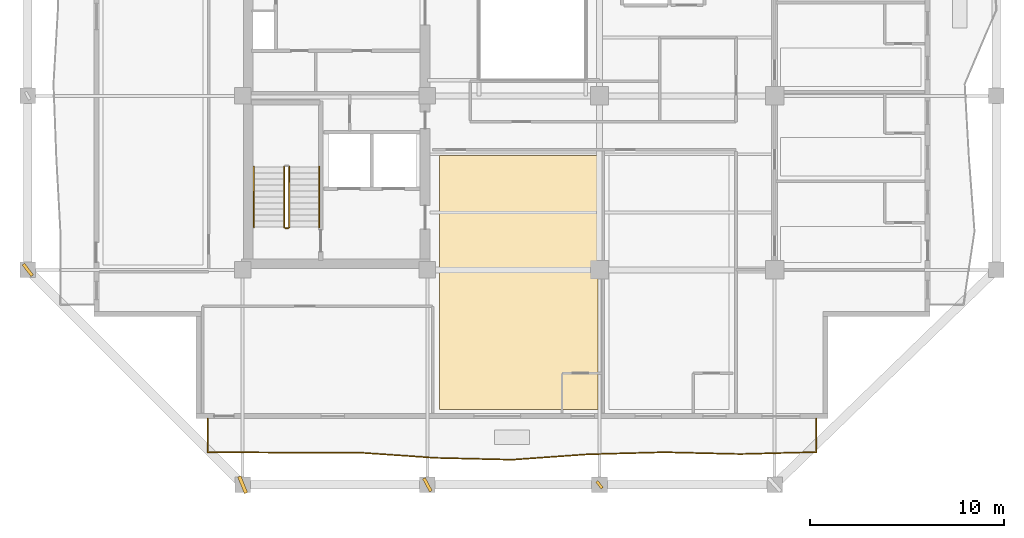
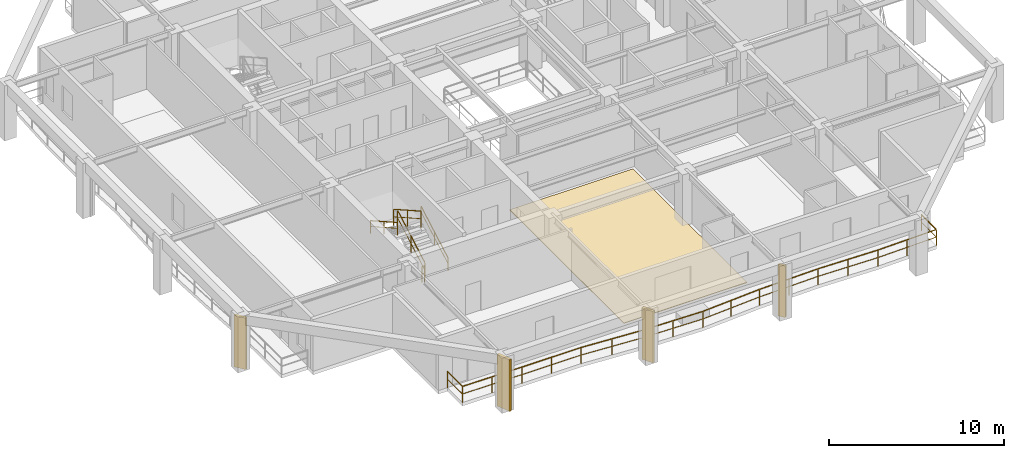
# One storey, part 8 of 13: 6 railings, 4 shading devices, 1 covering.
"""IFC4 building model written with IfcOpenShell, lengths in metres."""

from ifc_helpers import new_model, si_unit, direction, frame, origin, origin_2d, place, context, subcontext, project, spatial, polyline, rectangle, outline, extrude, material, layer, layer_set, type_object, element, save


model = new_model("IFC4")

# Units and contexts
model_context = context("Model", 3, precision=1e-05, world=origin(), true_north=direction((0.0, 1.0)))
body_context = subcontext(model_context, "Body", "Model", "MODEL_VIEW")
ifc_project = project(units=[si_unit("LENGTHUNIT", "METRE"), si_unit("AREAUNIT", "SQUARE_METRE"), si_unit("VOLUMEUNIT", "CUBIC_METRE"), si_unit("PLANEANGLEUNIT", "RADIAN"), si_unit("MASSUNIT", "GRAM", prefix="KILO")], contexts=[model_context])

# Site, building, storey
site_placement = place(None, origin())
site = spatial("IfcSite", under=ifc_project, at=site_placement, CompositionType="ELEMENT")
building_placement = place(site_placement, origin())
building = spatial("IfcBuilding", under=site, at=building_placement, Name="Kundavana Baori Tower", CompositionType="ELEMENT")
storey_placement = place(building_placement, frame((0.0, 0.0, 192.550048828125)))
storey = spatial("IfcBuildingStorey", under=building, at=storey_placement, Name="L47", CompositionType="ELEMENT", Elevation=192.550048828125)

# Covering
ifc_material_1 = material(Name="Honed Kota Stone and Terrazzo Flooring", Category="masonry")
ifc_layer = layer(ifc_material_1, 0.0400390625, Name="COV-FLR-TERR-40")
ifc_layer_set = layer_set([ifc_layer], Name="Honed Kota Stone and Terrazzo Flooring")
covering_type = type_object("IfcCoveringType", Name="COV-FLR-TERR-40", PredefinedType="FLOORING", material=ifc_layer_set)
covering_placement = place(storey_placement, origin())
element("IfcCovering", 1, at=covering_placement, inside=storey, type_object=covering_type, Name="L47 Room Finished Stone Flooring 2", PredefinedType="FLOORING", context=body_context, shape_type="SweptSolid", body=[
    extrude(outline(polyline([(25.580078125, 8.080078125), (33.719970703125, 8.080078125), (33.719970703125, 21.139892578125), (25.580078125, 21.139892578125), (25.580078125, 8.080078125)])), origin(), (0.0, 0.0, 1.0), 0.0400390625),
])

# Railings
ifc_material_2 = material(Name="Architectural Patinated Bronze Metalwork")
railing_type_1 = type_object("IfcRailingType", Name="RL-BAL-1150", PredefinedType="BALUSTRADE", material=ifc_material_2)
railing_1_placement = place(storey_placement, frame((44.949951171875, 7.60009765625, 0.0)))
element("IfcRailing", 2, at=railing_1_placement, inside=storey, type_object=railing_type_1, Name="L47 Loggia Balcony Balustrade S", PredefinedType="BALUSTRADE", context=body_context, shape_type="SweptSolid", body=[
    extrude(rectangle(XDim=0.048095703125, YDim=0.048095703125, at=origin_2d()), frame((0.0, 0.0, 1.1259765625), z_axis=(0.0, -1.0, 0.0), x_axis=(1.0, 0.0, 0.0)), (0.0, 0.0, 1.0), 1.72021484375),
    extrude(rectangle(XDim=0.03125, YDim=0.03125, at=origin_2d()), frame((0.0, 0.0, 0.597900390625), z_axis=(0.0, -1.0, 0.0), x_axis=(1.0, 0.0, 0.0)), (0.0, 0.0, 1.0), 1.72021484375),
    extrude(rectangle(XDim=0.048095703125, YDim=0.048095703125, at=origin_2d()), frame((0.0, -1.72021484375, 1.1259765625), z_axis=(-0.999654997902, -0.026265665239, 0.0), x_axis=(0.026265665239, -0.999654997902, 0.0)), (0.0, 0.0, 1.0), 3.913330078125),
    extrude(rectangle(XDim=0.03125, YDim=0.03125, at=origin_2d()), frame((0.0, -1.72021484375, 0.597900390625), z_axis=(-0.999654997902, -0.026265665239, 0.0), x_axis=(0.026265665239, -0.999654997902, 0.0)), (0.0, 0.0, 1.0), 3.913330078125),
    extrude(rectangle(XDim=0.048095703125, YDim=0.048095703125, at=origin_2d()), frame((-3.911865234375, -1.822998046875, 1.1259765625), z_axis=(-0.999711633431, 0.024013537489, 0.0), x_axis=(-0.024013537489, -0.999711633431, 0.0)), (0.0, 0.0, 1.0), 3.914306640625),
    extrude(rectangle(XDim=0.03125, YDim=0.03125, at=origin_2d()), frame((-3.911865234375, -1.822998046875, 0.597900390625), z_axis=(-0.999711633431, 0.024013537489, 0.0), x_axis=(-0.024013537489, -0.999711633431, 0.0)), (0.0, 0.0, 1.0), 3.914306640625),
    extrude(rectangle(XDim=0.048095703125, YDim=0.048095703125, at=origin_2d()), frame((-7.824951171875, -1.72900390625, 1.1259765625), z_axis=(-0.999640142493, -0.026825091193, 0.0), x_axis=(0.026825091193, -0.999640142493, 0.0)), (0.0, 0.0, 1.0), 3.91357421875),
    extrude(rectangle(XDim=0.03125, YDim=0.03125, at=origin_2d()), frame((-7.824951171875, -1.72900390625, 0.597900390625), z_axis=(-0.999640142493, -0.026825091193, 0.0), x_axis=(0.026825091193, -0.999640142493, 0.0)), (0.0, 0.0, 1.0), 3.91357421875),
    extrude(rectangle(XDim=0.048095703125, YDim=0.048095703125, at=origin_2d()), frame((-11.737060546875, -1.833984375, 1.1259765625), z_axis=(-0.997448896999, -0.071384157039, 0.0), x_axis=(0.071384157039, -0.997448896999, 0.0)), (0.0, 0.0, 1.0), 3.9228515625),
    extrude(rectangle(XDim=0.03125, YDim=0.03125, at=origin_2d()), frame((-11.737060546875, -1.833984375, 0.597900390625), z_axis=(-0.997448896999, -0.071384157039, 0.0), x_axis=(0.071384157039, -0.997448896999, 0.0)), (0.0, 0.0, 1.0), 3.9228515625),
    extrude(rectangle(XDim=0.048095703125, YDim=0.048095703125, at=origin_2d()), frame((-15.64990234375, -2.114013671875, 1.1259765625), z_axis=(-0.999705466004, 0.024268935739, 0.0), x_axis=(-0.024268935739, -0.999705466004, 0.0)), (0.0, 0.0, 1.0), 3.913330078125),
    extrude(rectangle(XDim=0.03125, YDim=0.03125, at=origin_2d()), frame((-15.64990234375, -2.114013671875, 0.597900390625), z_axis=(-0.999705466004, 0.024268935739, 0.0), x_axis=(-0.024268935739, -0.999705466004, 0.0)), (0.0, 0.0, 1.0), 3.913330078125),
    extrude(rectangle(XDim=0.048095703125, YDim=0.048095703125, at=origin_2d()), frame((-19.56201171875, -2.01904296875, 1.1259765625), z_axis=(-0.997644451207, 0.068597004132, 0.0), x_axis=(-0.068597004132, -0.997644451207, 0.0)), (0.0, 0.0, 1.0), 3.922119140625),
    extrude(rectangle(XDim=0.03125, YDim=0.03125, at=origin_2d()), frame((-19.56201171875, -2.01904296875, 0.597900390625), z_axis=(-0.997644451207, 0.068597004132, 0.0), x_axis=(-0.068597004132, -0.997644451207, 0.0)), (0.0, 0.0, 1.0), 3.922119140625),
    extrude(rectangle(XDim=0.048095703125, YDim=0.048095703125, at=origin_2d()), frame((-23.474853515625, -1.75, 1.1259765625), z_axis=(-0.999999875436, 0.000499126466, 0.0), x_axis=(-0.000499126466, -0.999999875436, 0.0)), (0.0, 0.0, 1.0), 3.9130859375),
    extrude(rectangle(XDim=0.03125, YDim=0.03125, at=origin_2d()), frame((-23.474853515625, -1.75, 0.597900390625), z_axis=(-0.999999875436, 0.000499126466, 0.0), x_axis=(-0.000499126466, -0.999999875436, 0.0)), (0.0, 0.0, 1.0), 3.9130859375),
    extrude(rectangle(XDim=0.048095703125, YDim=0.048095703125, at=origin_2d()), frame((-27.387939453125, -1.748046875, 1.1259765625), z_axis=(-0.999974694126, 0.007114148473, 0.0), x_axis=(-0.007114148473, -0.999974694126, 0.0)), (0.0, 0.0, 1.0), 3.912109375),
    extrude(rectangle(XDim=0.03125, YDim=0.03125, at=origin_2d()), frame((-27.387939453125, -1.748046875, 0.597900390625), z_axis=(-0.999974694126, 0.007114148473, 0.0), x_axis=(-0.007114148473, -0.999974694126, 0.0)), (0.0, 0.0, 1.0), 3.912109375),
    extrude(rectangle(XDim=0.048095703125, YDim=0.048095703125, at=origin_2d()), frame((-31.300048828125, -1.72021484375, 1.1259765625), z_axis=(0.0, 1.0, 0.0), x_axis=(-1.0, 0.0, 0.0)), (0.0, 0.0, 1.0), 1.72021484375),
    extrude(rectangle(XDim=0.03125, YDim=0.03125, at=origin_2d()), frame((-31.300048828125, -1.72021484375, 0.597900390625), z_axis=(0.0, 1.0, 0.0), x_axis=(-1.0, 0.0, 0.0)), (0.0, 0.0, 1.0), 1.72021484375),
    extrude(rectangle(XDim=0.0419921875, YDim=0.0419921875, at=origin_2d()), origin(), (0.0, 0.0, 1.0), 1.101806640625),
    extrude(rectangle(XDim=0.0419921875, YDim=0.0419921875, at=origin_2d()), frame((0.0, -1.72021484375, 0.0)), (0.0, 0.0, 1.0), 1.101806640625),
    extrude(rectangle(XDim=0.0419921875, YDim=0.0419921875, at=origin_2d()), frame((-1.9560546875, -1.771484375, 0.0)), (0.0, 0.0, 1.0), 1.101806640625),
    extrude(rectangle(XDim=0.0419921875, YDim=0.0419921875, at=origin_2d()), frame((-3.911865234375, -1.822998046875, 0.0)), (0.0, 0.0, 1.0), 1.101806640625),
    extrude(rectangle(XDim=0.0419921875, YDim=0.0419921875, at=origin_2d()), frame((-5.868408203125, -1.77587890625, 0.0)), (0.0, 0.0, 1.0), 1.101806640625),
    extrude(rectangle(XDim=0.0419921875, YDim=0.0419921875, at=origin_2d()), frame((-7.824951171875, -1.72900390625, 0.0)), (0.0, 0.0, 1.0), 1.101806640625),
    extrude(rectangle(XDim=0.0419921875, YDim=0.0419921875, at=origin_2d()), frame((-9.781005859375, -1.781494140625, 0.0)), (0.0, 0.0, 1.0), 1.101806640625),
    extrude(rectangle(XDim=0.0419921875, YDim=0.0419921875, at=origin_2d()), frame((-11.737060546875, -1.833984375, 0.0)), (0.0, 0.0, 1.0), 1.101806640625),
    extrude(rectangle(XDim=0.0419921875, YDim=0.0419921875, at=origin_2d()), frame((-13.693359375, -1.97412109375, 0.0)), (0.0, 0.0, 1.0), 1.101806640625),
    extrude(rectangle(XDim=0.0419921875, YDim=0.0419921875, at=origin_2d()), frame((-15.64990234375, -2.114013671875, 0.0)), (0.0, 0.0, 1.0), 1.101806640625),
    extrude(rectangle(XDim=0.0419921875, YDim=0.0419921875, at=origin_2d()), frame((-17.60595703125, -2.06640625, 0.0)), (0.0, 0.0, 1.0), 1.101806640625),
    extrude(rectangle(XDim=0.0419921875, YDim=0.0419921875, at=origin_2d()), frame((-19.56201171875, -2.01904296875, 0.0)), (0.0, 0.0, 1.0), 1.101806640625),
    extrude(rectangle(XDim=0.0419921875, YDim=0.0419921875, at=origin_2d()), frame((-21.5185546875, -1.884521484375, 0.0)), (0.0, 0.0, 1.0), 1.101806640625),
    extrude(rectangle(XDim=0.0419921875, YDim=0.0419921875, at=origin_2d()), frame((-23.474853515625, -1.75, 0.0)), (0.0, 0.0, 1.0), 1.101806640625),
    extrude(rectangle(XDim=0.0419921875, YDim=0.0419921875, at=origin_2d()), frame((-25.431396484375, -1.7490234375, 0.0)), (0.0, 0.0, 1.0), 1.101806640625),
    extrude(rectangle(XDim=0.0419921875, YDim=0.0419921875, at=origin_2d()), frame((-27.387939453125, -1.748046875, 0.0)), (0.0, 0.0, 1.0), 1.101806640625),
    extrude(rectangle(XDim=0.0419921875, YDim=0.0419921875, at=origin_2d()), frame((-29.343994140625, -1.734130859375, 0.0)), (0.0, 0.0, 1.0), 1.101806640625),
    extrude(rectangle(XDim=0.0419921875, YDim=0.0419921875, at=origin_2d()), frame((-31.300048828125, -1.72021484375, 0.0)), (0.0, 0.0, 1.0), 1.101806640625),
    extrude(rectangle(XDim=0.0419921875, YDim=0.0419921875, at=origin_2d()), frame((-31.300048828125, 0.0, 0.0)), (0.0, 0.0, 1.0), 1.101806640625),
])
ifc_material_3 = material(Name="Architectural Patinated Bronze Metalwork")
railing_type_2 = type_object("IfcRailingType", Name="RL-GRD-1150", PredefinedType="GUARDRAIL", material=ifc_material_3)
railing_2_placement = place(storey_placement, frame((17.840087890625, 17.449951171875, 0.175048828125)))
element("IfcRailing", 3, at=railing_2_placement, inside=storey, type_object=railing_type_2, Name="L47 ST1 stair guard 1", PredefinedType="GUARDRAIL", context=body_context, shape_type="SweptSolid", body=[
    extrude(rectangle(XDim=0.048095703125, YDim=0.048095703125, at=origin_2d()), frame((0.0, 0.0, 1.1259765625), z_axis=(0.0, 0.870830938388, 0.491582624537), x_axis=(-1.0, 0.0, 0.0)), (0.0, 0.0, 1.0), 3.559814453125),
    extrude(rectangle(XDim=0.03125, YDim=0.03125, at=origin_2d()), frame((0.0, 0.0, 0.597900390625), z_axis=(0.0, 0.870830938388, 0.491582624537), x_axis=(-1.0, 0.0, 0.0)), (0.0, 0.0, 1.0), 3.559814453125),
    extrude(rectangle(XDim=0.0419921875, YDim=0.0419921875, at=origin_2d()), origin(), (0.0, 0.0, 1.0), 1.101806640625),
    extrude(rectangle(XDim=0.0419921875, YDim=0.0419921875, at=origin_2d()), frame((0.0, 1.550048828125, 0.875)), (0.0, 0.0, 1.0), 1.101806640625),
    extrude(rectangle(XDim=0.0419921875, YDim=0.0419921875, at=origin_2d()), frame((0.0, 3.10009765625, 1.75)), (0.0, 0.0, 1.0), 1.101806640625),
])
railing_3_placement = place(storey_placement, frame((17.580078125, 20.550048828125, 2.099853515625)))
element("IfcRailing", 4, at=railing_3_placement, inside=storey, type_object=railing_type_2, Name="L47 ST1 stair guard 3", PredefinedType="GUARDRAIL", context=body_context, shape_type="SweptSolid", body=[
    extrude(rectangle(XDim=0.048095703125, YDim=0.048095703125, at=origin_2d()), frame((0.0, 0.0, 1.1259765625), z_axis=(0.0, -0.870830938388, 0.491582624537), x_axis=(1.0, 0.0, 0.0)), (0.0, 0.0, 1.0), 3.559814453125),
    extrude(rectangle(XDim=0.03125, YDim=0.03125, at=origin_2d()), frame((0.0, 0.0, 0.597900390625), z_axis=(0.0, -0.870830938388, 0.491582624537), x_axis=(1.0, 0.0, 0.0)), (0.0, 0.0, 1.0), 3.559814453125),
    extrude(rectangle(XDim=0.0419921875, YDim=0.0419921875, at=origin_2d()), origin(), (0.0, 0.0, 1.0), 1.101806640625),
    extrude(rectangle(XDim=0.0419921875, YDim=0.0419921875, at=origin_2d()), frame((0.0, -1.550048828125, 0.875)), (0.0, 0.0, 1.0), 1.101806640625),
    extrude(rectangle(XDim=0.0419921875, YDim=0.0419921875, at=origin_2d()), frame((0.0, -3.10009765625, 1.75)), (0.0, 0.0, 1.0), 1.101806640625),
])
railing_4_placement = place(storey_placement, frame((17.7900390625, 17.39990234375, 0.0)))
element("IfcRailing", 5, at=railing_4_placement, inside=storey, type_object=railing_type_2, Name="L47 ST1 stair guard 4", PredefinedType="GUARDRAIL", context=body_context, shape_type="SweptSolid", body=[
    extrude(rectangle(XDim=0.048095703125, YDim=0.048095703125, at=origin_2d()), frame((0.0, 0.0, 1.1259765625), z_axis=(-1.0, 0.0, 0.0), x_axis=(0.0, -1.0, 0.0)), (0.0, 0.0, 1.0), 0.16015625),
    extrude(rectangle(XDim=0.03125, YDim=0.03125, at=origin_2d()), frame((0.0, 0.0, 0.597900390625), z_axis=(-1.0, 0.0, 0.0), x_axis=(0.0, -1.0, 0.0)), (0.0, 0.0, 1.0), 0.16015625),
    extrude(rectangle(XDim=0.0419921875, YDim=0.0419921875, at=origin_2d()), origin(), (0.0, 0.0, 1.0), 1.101806640625),
    extrude(rectangle(XDim=0.0419921875, YDim=0.0419921875, at=origin_2d()), frame((-0.16015625, 0.0, 0.0)), (0.0, 0.0, 1.0), 1.101806640625),
])
ifc_material_4 = material(Name="Architectural Patinated Bronze Metalwork")
railing_type_3 = type_object("IfcRailingType", Name="RL-HND-920", PredefinedType="HANDRAIL", material=ifc_material_4)
railing_5_placement = place(storey_placement, frame((19.389892578125, 17.449951171875, 0.175048828125)))
element("IfcRailing", 6, at=railing_5_placement, inside=storey, type_object=railing_type_3, Name="L47 ST1 stair handrail 1", PredefinedType="HANDRAIL", context=body_context, shape_type="SweptSolid", body=[
    extrude(rectangle(XDim=0.048095703125, YDim=0.048095703125, at=origin_2d()), frame((0.0, 0.0, 0.8759765625), z_axis=(0.0, 0.870830938388, 0.491582624537), x_axis=(-1.0, 0.0, 0.0)), (0.0, 0.0, 1.0), 3.559814453125),
    extrude(rectangle(XDim=0.03125, YDim=0.03125, at=origin_2d()), frame((0.0, 0.0, 0.468017578125), z_axis=(0.0, 0.870830938388, 0.491582624537), x_axis=(-1.0, 0.0, 0.0)), (0.0, 0.0, 1.0), 3.559814453125),
    extrude(rectangle(XDim=0.0419921875, YDim=0.0419921875, at=origin_2d()), origin(), (0.0, 0.0, 1.0), 0.851806640625),
    extrude(rectangle(XDim=0.0419921875, YDim=0.0419921875, at=origin_2d()), frame((0.0, 1.550048828125, 0.875)), (0.0, 0.0, 1.0), 0.851806640625),
    extrude(rectangle(XDim=0.0419921875, YDim=0.0419921875, at=origin_2d()), frame((0.0, 3.10009765625, 1.75)), (0.0, 0.0, 1.0), 0.851806640625),
])
railing_6_placement = place(storey_placement, frame((16.030029296875, 20.550048828125, 2.099853515625)))
element("IfcRailing", 7, at=railing_6_placement, inside=storey, type_object=railing_type_3, Name="L47 ST1 stair handrail 2", PredefinedType="HANDRAIL", context=body_context, shape_type="SweptSolid", body=[
    extrude(rectangle(XDim=0.048095703125, YDim=0.048095703125, at=origin_2d()), frame((0.0, 0.0, 0.8759765625), z_axis=(0.0, -0.870830938388, 0.491582624537), x_axis=(1.0, 0.0, 0.0)), (0.0, 0.0, 1.0), 3.559814453125),
    extrude(rectangle(XDim=0.03125, YDim=0.03125, at=origin_2d()), frame((0.0, 0.0, 0.468017578125), z_axis=(0.0, -0.870830938388, 0.491582624537), x_axis=(1.0, 0.0, 0.0)), (0.0, 0.0, 1.0), 3.559814453125),
    extrude(rectangle(XDim=0.0419921875, YDim=0.0419921875, at=origin_2d()), origin(), (0.0, 0.0, 1.0), 0.851806640625),
    extrude(rectangle(XDim=0.0419921875, YDim=0.0419921875, at=origin_2d()), frame((0.0, -1.550048828125, 0.875)), (0.0, 0.0, 1.0), 0.851806640625),
    extrude(rectangle(XDim=0.0419921875, YDim=0.0419921875, at=origin_2d()), frame((0.0, -3.10009765625, 1.75)), (0.0, 0.0, 1.0), 0.851806640625),
])

# Shading devices
ifc_material_5 = material(Name="Red-Buff Dholpur Sandstone Cladding on Concrete C40/50", Category="masonry")
shading_device_type_1 = type_object("IfcShadingDeviceType", Name="SHD-FIN-750", PredefinedType="JALOUSIE", material=ifc_material_5)
for number, where, z_axis, x_axis, name in (
    (8, (24.949951171875, 4.199951171875, 0.0), (0.0, 0.0, 1.0), (0.882044645501, 0.471165834227, 0.0), "L47 Sweeping Dholpur Sandstone Facade Fin 2"),
    (9, (4.39990234375, 15.25, 0.0), (0.0, 0.0, 1.0), (0.797057226922, 0.603903781253, 0.0), "L47 Sweeping Dholpur Sandstone Facade Fin 5"),
):
    element("IfcShadingDevice", number, at=place(storey_placement, frame(where, z_axis=z_axis, x_axis=x_axis)), inside=storey, type_object=shading_device_type_1, Name=name, PredefinedType="JALOUSIE", context=body_context, shape_type="SweptSolid", body=[
        extrude(rectangle(XDim=0.159912109375, YDim=0.75, at=origin_2d()), origin(), (0.0, 0.0, 1.0), 3.60009765625),
    ])
ifc_material_6 = material(Name="Red-Buff Dholpur Sandstone Cladding on Concrete C40/50", Category="masonry")
shading_device_type_2 = type_object("IfcShadingDeviceType", Name="SHD-FIN-920", PredefinedType="JALOUSIE", material=ifc_material_6)
shading_device_1_placement = place(storey_placement, frame((15.449951171875, 4.199951171875, 0.0), z_axis=(0.0, 0.0, 1.0), x_axis=(0.926199960512, 0.377032668542, 0.0)))
element("IfcShadingDevice", 10, at=shading_device_1_placement, inside=storey, type_object=shading_device_type_2, Name="L47 Sweeping Dholpur Sandstone Facade Fin 1", PredefinedType="JALOUSIE", context=body_context, shape_type="SweptSolid", body=[
    extrude(rectangle(XDim=0.179931640625, YDim=0.919921875, at=origin_2d()), origin(), (0.0, 0.0, 1.0), 3.60009765625),
])
ifc_material_7 = material(Name="Architectural Patinated Bronze Metalwork")
shading_device_type_3 = type_object("IfcShadingDeviceType", Name="SHD-LOUV-450", PredefinedType="SHUTTER", material=ifc_material_7)
shading_device_2_placement = place(storey_placement, frame((33.800048828125, 4.199951171875, 0.0), z_axis=(0.0, 0.0, 1.0), x_axis=(0.79175688964, 0.610836334633, 0.0)))
element("IfcShadingDevice", 11, at=shading_device_2_placement, inside=storey, type_object=shading_device_type_3, Name="L47 Sweeping Dholpur Sandstone Facade Fin 3", PredefinedType="SHUTTER", context=body_context, shape_type="SweptSolid", body=[
    extrude(rectangle(XDim=0.139892578125, YDim=0.449951171875, at=origin_2d()), origin(), (0.0, 0.0, 1.0), 3.60009765625),
])

save(model, "model.ifc")
